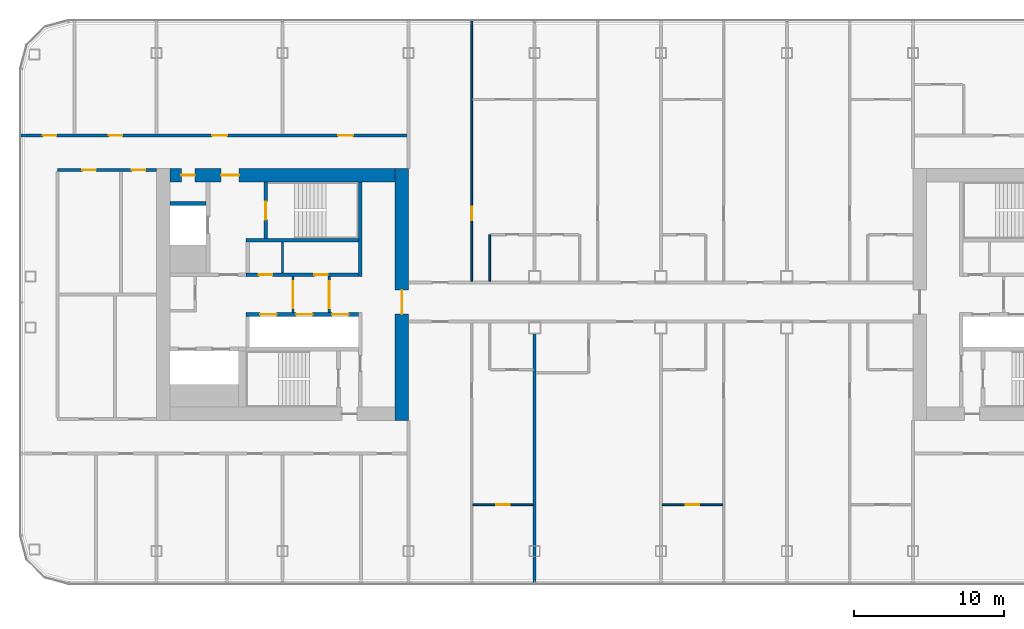
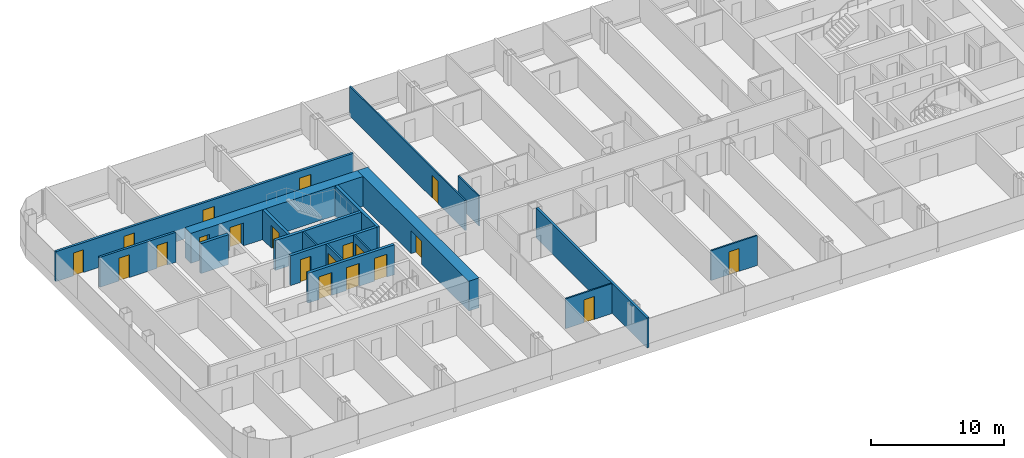
# One storey, part 13 of 26: 20 doors, 18 walls, 20 openings.
"""IFC4 building model written with IfcOpenShell, lengths in metres."""

from ifc_helpers import new_model, si_unit, direction, frame, frame_2d, origin, place, context, subcontext, project, spatial, rectangle, extrude, material, layer, layer_set, type_object, element, fill, save


model = new_model("IFC4")

# Units and contexts
model_context = context("Model", 3, precision=1e-05, world=origin(), true_north=direction((0.0, 1.0)))
body_context = subcontext(model_context, "Body", "Model", "MODEL_VIEW")
ifc_project = project(units=[si_unit("LENGTHUNIT", "METRE"), si_unit("AREAUNIT", "SQUARE_METRE"), si_unit("VOLUMEUNIT", "CUBIC_METRE"), si_unit("PLANEANGLEUNIT", "RADIAN"), si_unit("MASSUNIT", "GRAM", prefix="KILO")], contexts=[model_context])

# Site, building, storey
site_placement = place(None, origin())
site = spatial("IfcSite", under=ifc_project, at=site_placement, CompositionType="ELEMENT")
building_placement = place(site_placement, origin())
building = spatial("IfcBuilding", under=site, at=building_placement, Name="Hakoniwa Tower and Hamabe Station Hall", CompositionType="ELEMENT")
storey_placement = place(building_placement, frame((0.0, 0.0, 143.800048828125)))
storey = spatial("IfcBuildingStorey", under=building, at=storey_placement, Name="L40", CompositionType="ELEMENT", Elevation=143.800048828125)

# Wall
ifc_material_1 = material(Name="Gypsum board partition", Category="gypsum")
ifc_layer_1 = layer(ifc_material_1, 0.125)
ifc_layer_set_1 = layer_set([ifc_layer_1], Name="Bathroom Partition 125")
wall_type_1 = type_object("IfcWallType", Name="Bathroom Partition 125", PredefinedType="PARTITIONING", material=ifc_layer_set_1)
wall_1_placement = place(storey_placement, frame((-11.39990234375, 0.89990234375, 0.0), z_axis=(0.0, 0.0, 1.0), x_axis=(0.0, 1.0, 0.0)))
element("IfcWall", 1, at=wall_1_placement, inside=storey, type_object=wall_type_1, Name="GW-L40-045", PredefinedType="PARTITIONING", context=body_context, shape_type="SweptSolid", body=[
    extrude(rectangle(XDim=3.10009765625, YDim=0.125, at=frame_2d((1.550048828125, 0.0))), origin(), (0.0, 0.0, 1.0), 2.75),
])

# Wall, opening, door
ifc_material_2 = material(Name="Gypsum board partition")
ifc_layer_2 = layer(ifc_material_2, 0.14990234375)
ifc_layer_set_2 = layer_set([ifc_layer_2], Name="CORE PARTITION 150 EI 60")
wall_type_2 = type_object("IfcWallType", Name="CORE PARTITION 150 EI 60", PredefinedType="PARTITIONING", material=ifc_layer_set_2)
wall_2_placement = place(storey_placement, frame((-22.10009765625, -1.199951171875, 0.0), z_axis=(0.0, 0.0, 1.0), x_axis=(0.0, 1.0, 0.0)))
wall_2 = element("IfcWall", 2, at=wall_2_placement, inside=storey, type_object=wall_type_2, Name="Core partition PL0 west", PredefinedType="PARTITIONING", context=body_context, shape_type="SweptSolid", body=[
    extrude(rectangle(XDim=2.39990234375, YDim=0.14990234375, at=frame_2d((1.199951171875, 0.0))), origin(), (0.0, 0.0, 1.0), 2.75),
])
opening_1_placement = place(wall_2_placement, frame((0.300048828125, 0.0, 0.0)))
opening_1 = element("IfcOpeningElement", 3, at=opening_1_placement, cuts=wall_2, Name="Opening CD-W-LP0-18", PredefinedType="OPENING", context=body_context, shape_type="SweptSolid", body=[
    extrude(rectangle(XDim=1.800048828125, YDim=2.10009765625, at=frame_2d((0.89990234375, 1.050048828125))), frame((0.0, 0.0849609375, 0.0), z_axis=(0.0, -1.0, 0.0), x_axis=(1.0, 0.0, 0.0)), (0.0, 0.0, 1.0), 0.169921875),
])
ifc_material_3 = material(Name="Steel fire door", Category="steel")
door_type_1 = type_object("IfcDoorType", Name="CORE DOOR 1800 FD60", OperationType="DOUBLE_DOOR_SINGLE_SWING", PredefinedType="DOOR", material=ifc_material_3)
door_1_placement = place(opening_1_placement, origin())
door_1 = element("IfcDoor", 4, at=door_1_placement, inside=storey, type_object=door_type_1, Name="Lift lobby partition door", OperationType="DOUBLE_DOOR_SINGLE_SWING", OverallHeight=2.10009765625, OverallWidth=1.800048828125, PredefinedType="DOOR", context=body_context, shape_type="SweptSolid", body=[
    extrude(rectangle(XDim=1.800048828125, YDim=2.10009765625, at=frame_2d((0.89990234375, 1.050048828125))), frame((0.0, 0.02490234375, 0.0), z_axis=(0.0, -1.0, 0.0), x_axis=(1.0, 0.0, 0.0)), (0.0, 0.0, 1.0), 0.050048828125),
])
fill(opening_1, door_1)

wall_3_placement = place(storey_placement, frame((-24.5, -1.199951171875, 0.0), z_axis=(0.0, 0.0, 1.0), x_axis=(0.0, 1.0, 0.0)))
wall_3 = element("IfcWall", 5, at=wall_3_placement, inside=storey, type_object=wall_type_2, Name="Core partition PL1 west", PredefinedType="PARTITIONING", context=body_context, shape_type="SweptSolid", body=[
    extrude(rectangle(XDim=2.39990234375, YDim=0.14990234375, at=frame_2d((1.199951171875, 0.0))), origin(), (0.0, 0.0, 1.0), 2.75),
])
opening_2_placement = place(wall_3_placement, frame((0.300048828125, 0.0, 0.0)))
opening_2 = element("IfcOpeningElement", 6, at=opening_2_placement, cuts=wall_3, Name="Opening CD-W-LP1-18", PredefinedType="OPENING", context=body_context, shape_type="SweptSolid", body=[
    extrude(rectangle(XDim=1.800048828125, YDim=2.10009765625, at=frame_2d((0.89990234375, 1.050048828125))), frame((0.0, 0.0849609375, 0.0), z_axis=(0.0, -1.0, 0.0), x_axis=(1.0, 0.0, 0.0)), (0.0, 0.0, 1.0), 0.169921875),
])
door_2_placement = place(opening_2_placement, origin())
door_2 = element("IfcDoor", 7, at=door_2_placement, inside=storey, type_object=door_type_1, Name="Lift lobby partition door", OperationType="DOUBLE_DOOR_SINGLE_SWING", OverallHeight=2.10009765625, OverallWidth=1.800048828125, PredefinedType="DOOR", context=body_context, shape_type="SweptSolid", body=[
    extrude(rectangle(XDim=1.800048828125, YDim=2.10009765625, at=frame_2d((0.89990234375, 1.050048828125))), frame((0.0, 0.02490234375, 0.0), z_axis=(0.0, -1.0, 0.0), x_axis=(1.0, 0.0, 0.0)), (0.0, 0.0, 1.0), 0.050048828125),
])
fill(opening_2, door_2)

# Wall
wall_4_placement = place(storey_placement, frame((-25.199951171875, 1.449951171875, 0.0), z_axis=(0.0, 0.0, 1.0), x_axis=(0.0, 1.0, 0.0)))
element("IfcWall", 8, at=wall_4_placement, inside=storey, type_object=wall_type_2, Name="Core partition PFLR0 west", PredefinedType="PARTITIONING", context=body_context, shape_type="SweptSolid", body=[
    extrude(rectangle(XDim=2.050048828125, YDim=0.14990234375, at=frame_2d((1.02490234375, 0.0))), origin(), (0.0, 0.0, 1.0), 2.75),
])

# Wall, opening, door
ifc_material_4 = material(Name="Concrete C66", Category="concrete")
ifc_layer_3 = layer(ifc_material_4, 0.89990234375)
ifc_layer_set_3 = layer_set([ifc_layer_3], Name="CORE WALL 900 C66")
wall_type_3 = type_object("IfcWallType", Name="CORE WALL 900 C66", PredefinedType="SHEAR", material=ifc_layer_set_3)
wall_5_placement = place(storey_placement, frame((-17.25, -8.39990234375, 0.0), z_axis=(0.0, 0.0, 1.0), x_axis=(0.0, 1.0, 0.0)))
wall_5 = element("IfcWall", 9, at=wall_5_placement, inside=storey, type_object=wall_type_3, Name="Core wall INNER west", PredefinedType="SHEAR", context=body_context, shape_type="SweptSolid", body=[
    extrude(rectangle(XDim=16.7998046875, YDim=0.89990234375, at=frame_2d((8.39990234375, 0.0))), origin(), (0.0, 0.0, 1.0), 2.75),
])
opening_3_placement = place(wall_5_placement, frame((7.10009765625, 0.0, 0.0)))
opening_3 = element("IfcOpeningElement", 10, at=opening_3_placement, cuts=wall_5, Name="Opening CD-W-IN1-16", PredefinedType="OPENING", context=body_context, shape_type="SweptSolid", body=[
    extrude(rectangle(XDim=1.60009765625, YDim=2.10009765625, at=frame_2d((0.800048828125, 1.050048828125))), frame((0.0, 0.4599609375, 0.0), z_axis=(0.0, -1.0, 0.0), x_axis=(1.0, 0.0, 0.0)), (0.0, 0.0, 1.0), 0.919921875),
])
ifc_material_5 = material(Name="Steel fire door", Category="steel")
door_type_2 = type_object("IfcDoorType", Name="CORE DOOR 1600 FD60", OperationType="DOUBLE_DOOR_SINGLE_SWING", PredefinedType="DOOR", material=ifc_material_5)
door_3_placement = place(opening_3_placement, origin())
door_3 = element("IfcDoor", 11, at=door_3_placement, inside=storey, type_object=door_type_2, Name="Lift lobby door", OperationType="DOUBLE_DOOR_SINGLE_SWING", OverallHeight=2.10009765625, OverallWidth=1.60009765625, PredefinedType="DOOR", context=body_context, shape_type="SweptSolid", body=[
    extrude(rectangle(XDim=1.60009765625, YDim=2.10009765625, at=frame_2d((0.800048828125, 1.050048828125))), frame((0.0, 0.02490234375, 0.0), z_axis=(0.0, -1.0, 0.0), x_axis=(1.0, 0.0, 0.0)), (0.0, 0.0, 1.0), 0.050048828125),
])
fill(opening_3, door_3)

# Wall, openings, doors
wall_6_placement = place(storey_placement, frame((-32.699951171875, 7.949951171875, 0.0), z_axis=(0.0, 0.0, 1.0), x_axis=(1.0, 0.0, 0.0)))
wall_6 = element("IfcWall", 12, at=wall_6_placement, inside=storey, type_object=wall_type_3, Name="Core wall NORTH west", PredefinedType="SHEAR", context=body_context, shape_type="SweptSolid", body=[
    extrude(rectangle(XDim=15.0, YDim=0.89990234375, at=frame_2d((7.5, 0.0))), origin(), (0.0, 0.0, 1.0), 2.75),
])
opening_4_placement = place(wall_6_placement, frame((3.39990234375, 0.0, 0.0)))
opening_4 = element("IfcOpeningElement", 13, at=opening_4_placement, cuts=wall_6, Name="Opening CD-W-FN1-12", PredefinedType="OPENING", context=body_context, shape_type="SweptSolid", body=[
    extrude(rectangle(XDim=1.199951171875, YDim=2.10009765625, at=frame_2d((0.60009765625, 1.050048828125))), frame((0.0, 0.4599609375, 0.0), z_axis=(0.0, -1.0, 0.0), x_axis=(1.0, 0.0, 0.0)), (0.0, 0.0, 1.0), 0.919921875),
])
opening_5_placement = place(wall_6_placement, frame((0.75, 0.0, 0.0)))
opening_5 = element("IfcOpeningElement", 14, at=opening_5_placement, cuts=wall_6, Name="Opening CD-W-FN2-9", PredefinedType="OPENING", context=body_context, shape_type="SweptSolid", body=[
    extrude(rectangle(XDim=0.89990234375, YDim=2.10009765625, at=frame_2d((0.449951171875, 1.050048828125))), frame((0.0, 0.4599609375, 0.0), z_axis=(0.0, -1.0, 0.0), x_axis=(1.0, 0.0, 0.0)), (0.0, 0.0, 1.0), 0.919921875),
])
ifc_material_6 = material(Name="Steel fire door", Category="steel")
door_type_3 = type_object("IfcDoorType", Name="CORE DOOR 1200 FD60", OperationType="DOUBLE_DOOR_SINGLE_SWING", PredefinedType="DOOR", material=ifc_material_6)
door_4_placement = place(opening_4_placement, origin())
door_4 = element("IfcDoor", 15, at=door_4_placement, inside=storey, type_object=door_type_3, Name="Stair vestibule door to the fire-fighting lobby", OperationType="DOUBLE_DOOR_SINGLE_SWING", OverallHeight=2.10009765625, OverallWidth=1.199951171875, PredefinedType="DOOR", context=body_context, shape_type="SweptSolid", body=[
    extrude(rectangle(XDim=1.199951171875, YDim=2.10009765625, at=frame_2d((0.60009765625, 1.050048828125))), frame((0.0, 0.02490234375, 0.0), z_axis=(0.0, -1.0, 0.0), x_axis=(1.0, 0.0, 0.0)), (0.0, 0.0, 1.0), 0.050048828125),
])
fill(opening_4, door_4)
ifc_material_7 = material(Name="Steel fire door", Category="steel")
door_type_4 = type_object("IfcDoorType", Name="CORE DOOR 900 FD30", OperationType="NOTDEFINED", PredefinedType="DOOR", material=ifc_material_7)
door_5_placement = place(opening_5_placement, origin())
door_5 = element("IfcDoor", 16, at=door_5_placement, inside=storey, type_object=door_type_4, Name="Riser access door", OperationType="SINGLE_SWING_LEFT", OverallHeight=2.10009765625, OverallWidth=0.89990234375, PredefinedType="DOOR", context=body_context, shape_type="SweptSolid", body=[
    extrude(rectangle(XDim=0.89990234375, YDim=2.10009765625, at=frame_2d((0.449951171875, 1.050048828125))), frame((0.0, 0.02490234375, 0.0), z_axis=(0.0, -1.0, 0.0), x_axis=(1.0, 0.0, 0.0)), (0.0, 0.0, 1.0), 0.050048828125),
])
fill(opening_5, door_5)

# Wall
ifc_material_8 = material(Name="Concrete C66", Category="concrete")
ifc_layer_4 = layer(ifc_material_8, 0.25)
ifc_layer_set_4 = layer_set([ifc_layer_4], Name="CORE WEB WALL 250 C66")
wall_type_4 = type_object("IfcWallType", Name="CORE WEB WALL 250 C66", PredefinedType="SHEAR", material=ifc_layer_set_4)
wall_7_placement = place(storey_placement, frame((-20.02490234375, 1.199951171875, 0.0), z_axis=(0.0, 0.0, 1.0), x_axis=(0.0, 1.0, 0.0)))
element("IfcWall", 17, at=wall_7_placement, inside=storey, type_object=wall_type_4, Name="Core wall W1N west", PredefinedType="SHEAR", context=body_context, shape_type="SweptSolid", body=[
    extrude(rectangle(XDim=6.300048828125, YDim=0.25, at=frame_2d((3.14990234375, 0.0))), origin(), (0.0, 0.0, 1.0), 2.75),
])

# Wall, openings, doors
wall_8_placement = place(storey_placement, frame((-27.64990234375, 1.324951171875, 0.0), z_axis=(0.0, 0.0, 1.0), x_axis=(1.0, 0.0, 0.0)))
wall_8 = element("IfcWall", 18, at=wall_8_placement, inside=storey, type_object=wall_type_4, Name="Core wall NF west", PredefinedType="SHEAR", context=body_context, shape_type="SweptSolid", body=[
    extrude(rectangle(XDim=7.5, YDim=0.25, at=frame_2d((3.75, 0.0))), origin(), (0.0, 0.0, 1.0), 2.75),
])
opening_6_placement = place(wall_8_placement, frame((4.5625, 0.0, 0.0)))
opening_6 = element("IfcOpeningElement", 19, at=opening_6_placement, cuts=wall_8, Name="Opening CD-W-FRLR0-9", PredefinedType="OPENING", context=body_context, shape_type="SweptSolid", body=[
    extrude(rectangle(XDim=0.89990234375, YDim=2.10009765625, at=frame_2d((0.449951171875, 1.050048828125))), frame((0.0, 0.135009765625, 0.0), z_axis=(0.0, -1.0, 0.0), x_axis=(1.0, 0.0, 0.0)), (0.0, 0.0, 1.0), 0.27001953125),
])
opening_7_placement = place(wall_8_placement, frame((0.862548828125, 0.0, 0.0)))
opening_7 = element("IfcOpeningElement", 20, at=opening_7_placement, cuts=wall_8, Name="Opening CD-W-FRLR1-9", PredefinedType="OPENING", context=body_context, shape_type="SweptSolid", body=[
    extrude(rectangle(XDim=0.89990234375, YDim=2.10009765625, at=frame_2d((0.449951171875, 1.050048828125))), frame((0.0, 0.135009765625, 0.0), z_axis=(0.0, -1.0, 0.0), x_axis=(1.0, 0.0, 0.0)), (0.0, 0.0, 1.0), 0.27001953125),
])
door_6_placement = place(opening_6_placement, origin())
door_6 = element("IfcDoor", 21, at=door_6_placement, inside=storey, type_object=door_type_4, Name="Store room door", OperationType="SINGLE_SWING_LEFT", OverallHeight=2.10009765625, OverallWidth=0.89990234375, PredefinedType="DOOR", context=body_context, shape_type="SweptSolid", body=[
    extrude(rectangle(XDim=0.89990234375, YDim=2.10009765625, at=frame_2d((0.449951171875, 1.050048828125))), frame((0.0, 0.02490234375, 0.0), z_axis=(0.0, -1.0, 0.0), x_axis=(1.0, 0.0, 0.0)), (0.0, 0.0, 1.0), 0.050048828125),
])
fill(opening_6, door_6)
door_7_placement = place(opening_7_placement, origin())
door_7 = element("IfcDoor", 22, at=door_7_placement, inside=storey, type_object=door_type_4, Name="Store room door", OperationType="SINGLE_SWING_RIGHT", OverallHeight=2.10009765625, OverallWidth=0.89990234375, PredefinedType="DOOR", context=body_context, shape_type="SweptSolid", body=[
    extrude(rectangle(XDim=0.89990234375, YDim=2.10009765625, at=frame_2d((0.449951171875, 1.050048828125))), frame((0.0, 0.02490234375, 0.0), z_axis=(0.0, -1.0, 0.0), x_axis=(1.0, 0.0, 0.0)), (0.0, 0.0, 1.0), 0.050048828125),
])
fill(opening_7, door_7)

# Wall
wall_9_placement = place(storey_placement, frame((-27.64990234375, 3.625, 0.0), z_axis=(0.0, 0.0, 1.0), x_axis=(1.0, 0.0, 0.0)))
element("IfcWall", 23, at=wall_9_placement, inside=storey, type_object=wall_type_4, Name="Core wall NR west", PredefinedType="SHEAR", context=body_context, shape_type="SweptSolid", body=[
    extrude(rectangle(XDim=7.5, YDim=0.25, at=frame_2d((3.75, 0.0))), origin(), (0.0, 0.0, 1.0), 2.75),
])

# Wall, opening, door
wall_10_placement = place(storey_placement, frame((-26.324951171875, 3.75, 0.0), z_axis=(0.0, 0.0, 1.0), x_axis=(0.0, 1.0, 0.0)))
wall_10 = element("IfcWall", 24, at=wall_10_placement, inside=storey, type_object=wall_type_4, Name="Core wall NSE west", PredefinedType="SHEAR", context=body_context, shape_type="SweptSolid", body=[
    extrude(rectangle(XDim=3.75, YDim=0.25, at=frame_2d((1.875, 0.0))), origin(), (0.0, 0.0, 1.0), 2.75),
])
opening_8_placement = place(wall_10_placement, frame((1.25, 0.0, 0.0)))
opening_8 = element("IfcOpeningElement", 25, at=opening_8_placement, cuts=wall_10, Name="Opening CD-W-SN-12", PredefinedType="OPENING", context=body_context, shape_type="SweptSolid", body=[
    extrude(rectangle(XDim=1.199951171875, YDim=2.10009765625, at=frame_2d((0.60009765625, 1.050048828125))), frame((0.0, 0.135009765625, 0.0), z_axis=(0.0, -1.0, 0.0), x_axis=(1.0, 0.0, 0.0)), (0.0, 0.0, 1.0), 0.27001953125),
])
door_8_placement = place(opening_8_placement, origin())
door_8 = element("IfcDoor", 26, at=door_8_placement, inside=storey, type_object=door_type_3, Name="Escape stair door", OperationType="DOUBLE_DOOR_SINGLE_SWING", OverallHeight=2.10009765625, OverallWidth=1.199951171875, PredefinedType="DOOR", context=body_context, shape_type="SweptSolid", body=[
    extrude(rectangle(XDim=1.199951171875, YDim=2.10009765625, at=frame_2d((0.60009765625, 1.050048828125))), frame((0.0, 0.02490234375, 0.0), z_axis=(0.0, -1.0, 0.0), x_axis=(1.0, 0.0, 0.0)), (0.0, 0.0, 1.0), 0.050048828125),
])
fill(opening_8, door_8)

# Wall
wall_11_placement = place(storey_placement, frame((-32.699951171875, 6.074951171875, 0.0), z_axis=(0.0, 0.0, 1.0), x_axis=(1.0, 0.0, 0.0)))
element("IfcWall", 27, at=wall_11_placement, inside=storey, type_object=wall_type_4, Name="Core wall C2 west", PredefinedType="SHEAR", context=body_context, shape_type="SweptSolid", body=[
    extrude(rectangle(XDim=2.39990234375, YDim=0.25, at=frame_2d((1.199951171875, 0.0))), origin(), (0.0, 0.0, 1.0), 2.75),
])

# Wall, openings, doors
wall_12_placement = place(storey_placement, frame((-27.64990234375, -1.324951171875, 0.0), z_axis=(0.0, 0.0, 1.0), x_axis=(1.0, 0.0, 0.0)))
wall_12 = element("IfcWall", 28, at=wall_12_placement, inside=storey, type_object=wall_type_4, Name="Core wall SF west", PredefinedType="SHEAR", context=body_context, shape_type="SweptSolid", body=[
    extrude(rectangle(XDim=7.5, YDim=0.25, at=frame_2d((3.75, 0.0))), origin(), (0.0, 0.0, 1.0), 2.75),
])
opening_9_placement = place(wall_12_placement, frame((5.75, 0.0, 0.0)))
opening_9 = element("IfcOpeningElement", 29, at=opening_9_placement, cuts=wall_12, Name="Opening LD-HR1", PredefinedType="OPENING", context=body_context, shape_type="SweptSolid", body=[
    extrude(rectangle(XDim=1.10009765625, YDim=2.10009765625, at=frame_2d((0.550048828125, 1.050048828125))), frame((0.0, 0.135009765625, 0.0), z_axis=(0.0, -1.0, 0.0), x_axis=(1.0, 0.0, 0.0)), (0.0, 0.0, 1.0), 0.27001953125),
])
opening_10_placement = place(wall_12_placement, frame((3.35009765625, 0.0, 0.0)))
opening_10 = element("IfcOpeningElement", 30, at=opening_10_placement, cuts=wall_12, Name="Opening LD-HR2", PredefinedType="OPENING", context=body_context, shape_type="SweptSolid", body=[
    extrude(rectangle(XDim=1.10009765625, YDim=2.10009765625, at=frame_2d((0.550048828125, 1.050048828125))), frame((0.0, 0.135009765625, 0.0), z_axis=(0.0, -1.0, 0.0), x_axis=(1.0, 0.0, 0.0)), (0.0, 0.0, 1.0), 0.27001953125),
])
opening_11_placement = place(wall_12_placement, frame((0.949951171875, 0.0, 0.0)))
opening_11 = element("IfcOpeningElement", 31, at=opening_11_placement, cuts=wall_12, Name="Opening LD-HR3", PredefinedType="OPENING", context=body_context, shape_type="SweptSolid", body=[
    extrude(rectangle(XDim=1.10009765625, YDim=2.10009765625, at=frame_2d((0.550048828125, 1.050048828125))), frame((0.0, 0.135009765625, 0.0), z_axis=(0.0, -1.0, 0.0), x_axis=(1.0, 0.0, 0.0)), (0.0, 0.0, 1.0), 0.27001953125),
])
ifc_material_9 = material(Name="Stainless steel SUS304", Category="steel")
door_type_5 = type_object("IfcDoorType", Name="LIFT LANDING DOOR 1100 FD60", OperationType="DOUBLE_DOOR_SLIDING", PredefinedType="DOOR", material=ifc_material_9)
door_9_placement = place(opening_9_placement, origin())
door_9 = element("IfcDoor", 32, at=door_9_placement, inside=storey, type_object=door_type_5, Name="Lift landing door HR1 L40", OperationType="DOUBLE_DOOR_SLIDING", OverallHeight=2.10009765625, OverallWidth=1.10009765625, PredefinedType="DOOR", context=body_context, shape_type="SweptSolid", body=[
    extrude(rectangle(XDim=1.10009765625, YDim=2.10009765625, at=frame_2d((0.550048828125, 1.050048828125))), frame((0.0, 0.02490234375, 0.0), z_axis=(0.0, -1.0, 0.0), x_axis=(1.0, 0.0, 0.0)), (0.0, 0.0, 1.0), 0.050048828125),
])
fill(opening_9, door_9)
door_10_placement = place(opening_10_placement, origin())
door_10 = element("IfcDoor", 33, at=door_10_placement, inside=storey, type_object=door_type_5, Name="Lift landing door HR2 L40", OperationType="DOUBLE_DOOR_SLIDING", OverallHeight=2.10009765625, OverallWidth=1.10009765625, PredefinedType="DOOR", context=body_context, shape_type="SweptSolid", body=[
    extrude(rectangle(XDim=1.10009765625, YDim=2.10009765625, at=frame_2d((0.550048828125, 1.050048828125))), frame((0.0, 0.02490234375, 0.0), z_axis=(0.0, -1.0, 0.0), x_axis=(1.0, 0.0, 0.0)), (0.0, 0.0, 1.0), 0.050048828125),
])
fill(opening_10, door_10)
door_11_placement = place(opening_11_placement, origin())
door_11 = element("IfcDoor", 34, at=door_11_placement, inside=storey, type_object=door_type_5, Name="Lift landing door HR3 L40", OperationType="DOUBLE_DOOR_SLIDING", OverallHeight=2.10009765625, OverallWidth=1.10009765625, PredefinedType="DOOR", context=body_context, shape_type="SweptSolid", body=[
    extrude(rectangle(XDim=1.10009765625, YDim=2.10009765625, at=frame_2d((0.550048828125, 1.050048828125))), frame((0.0, 0.02490234375, 0.0), z_axis=(0.0, -1.0, 0.0), x_axis=(1.0, 0.0, 0.0)), (0.0, 0.0, 1.0), 0.050048828125),
])
fill(opening_11, door_11)

ifc_material_10 = material(Name="Fire-rated gypsum board partition", Category="gypsum")
ifc_layer_5 = layer(ifc_material_10, 0.199951171875)
ifc_layer_set_5 = layer_set([ifc_layer_5], Name="Corridor Wall 200")
wall_type_5 = type_object("IfcWallType", Name="Corridor Wall 200", PredefinedType="PARTITIONING", material=ifc_layer_set_5)
wall_13_placement = place(storey_placement, frame((-40.199951171875, 8.300048828125, 0.0), z_axis=(0.0, 0.0, 1.0), x_axis=(1.0, 0.0, 0.0)))
wall_13 = element("IfcWall", 35, at=wall_13_placement, inside=storey, type_object=wall_type_5, Name="GW-L40-019", PredefinedType="PARTITIONING", context=body_context, shape_type="SweptSolid", body=[
    extrude(rectangle(XDim=6.599853515625, YDim=0.199951171875, at=frame_2d((3.2998046875, 0.0))), origin(), (0.0, 0.0, 1.0), 2.75),
])
opening_12_placement = place(wall_13_placement, frame((1.659912109375, 0.0, 0.0)))
opening_12 = element("IfcOpeningElement", 36, at=opening_12_placement, cuts=wall_13, Name="Opening GD-G3E0-32", PredefinedType="OPENING", context=body_context, shape_type="SweptSolid", body=[
    extrude(rectangle(XDim=0.89990234375, YDim=2.10009765625, at=frame_2d((0.449951171875, 1.050048828125))), frame((0.0, 0.10986328125, 0.0), z_axis=(0.0, -1.0, 0.0), x_axis=(1.0, 0.0, 0.0)), (0.0, 0.0, 1.0), 0.219970703125),
])
opening_13_placement = place(wall_13_placement, frame((4.9599609375, 0.0, 0.0)))
opening_13 = element("IfcOpeningElement", 37, at=opening_13_placement, cuts=wall_13, Name="Opening GD-G3E0-33", PredefinedType="OPENING", context=body_context, shape_type="SweptSolid", body=[
    extrude(rectangle(XDim=0.89990234375, YDim=2.10009765625, at=frame_2d((0.449951171875, 1.050048828125))), frame((0.0, 0.10986328125, 0.0), z_axis=(0.0, -1.0, 0.0), x_axis=(1.0, 0.0, 0.0)), (0.0, 0.0, 1.0), 0.219970703125),
])
ifc_material_11 = material(Name="Timber door leaf", Category="wood")
door_type_6 = type_object("IfcDoorType", Name="Service Door 900", OperationType="SINGLE_SWING_LEFT", PredefinedType="DOOR", material=ifc_material_11)
door_12_placement = place(opening_12_placement, origin())
door_12 = element("IfcDoor", 38, at=door_12_placement, inside=storey, type_object=door_type_6, Name="Door GD-G3E0-32", OperationType="SINGLE_SWING_LEFT", OverallHeight=2.10009765625, OverallWidth=0.89990234375, PredefinedType="DOOR", context=body_context, shape_type="SweptSolid", body=[
    extrude(rectangle(XDim=0.89990234375, YDim=2.10009765625, at=frame_2d((0.449951171875, 1.050048828125))), frame((0.0, 0.02490234375, 0.0), z_axis=(0.0, -1.0, 0.0), x_axis=(1.0, 0.0, 0.0)), (0.0, 0.0, 1.0), 0.050048828125),
])
fill(opening_12, door_12)
door_13_placement = place(opening_13_placement, origin())
door_13 = element("IfcDoor", 39, at=door_13_placement, inside=storey, type_object=door_type_6, Name="Door GD-G3E0-33", OperationType="SINGLE_SWING_LEFT", OverallHeight=2.10009765625, OverallWidth=0.89990234375, PredefinedType="DOOR", context=body_context, shape_type="SweptSolid", body=[
    extrude(rectangle(XDim=0.89990234375, YDim=2.10009765625, at=frame_2d((0.449951171875, 1.050048828125))), frame((0.0, 0.02490234375, 0.0), z_axis=(0.0, -1.0, 0.0), x_axis=(1.0, 0.0, 0.0)), (0.0, 0.0, 1.0), 0.050048828125),
])
fill(opening_13, door_13)

wall_14_placement = place(storey_placement, frame((-42.699951171875, 10.60009765625, 0.0), z_axis=(0.0, 0.0, 1.0), x_axis=(1.0, 0.0, 0.0)))
wall_14 = element("IfcWall", 40, at=wall_14_placement, inside=storey, type_object=wall_type_5, Name="GW-L40-021", PredefinedType="PARTITIONING", context=body_context, shape_type="SweptSolid", body=[
    extrude(rectangle(XDim=25.89990234375, YDim=0.199951171875, at=frame_2d((12.949951171875, 0.0))), origin(), (0.0, 0.0, 1.0), 2.75),
])
opening_14_placement = place(wall_14_placement, frame((1.52001953125, 0.0, 0.0)))
opening_14 = element("IfcOpeningElement", 41, at=opening_14_placement, cuts=wall_14, Name="Opening GD-G3E0-36", PredefinedType="OPENING", context=body_context, shape_type="SweptSolid", body=[
    extrude(rectangle(XDim=0.89990234375, YDim=2.10009765625, at=frame_2d((0.449951171875, 1.050048828125))), frame((0.0, 0.10986328125, 0.0), z_axis=(0.0, -1.0, 0.0), x_axis=(1.0, 0.0, 0.0)), (0.0, 0.0, 1.0), 0.219970703125),
])
opening_15_placement = place(wall_14_placement, frame((5.919921875, 0.0, 0.0)))
opening_15 = element("IfcOpeningElement", 42, at=opening_15_placement, cuts=wall_14, Name="Opening GD-G3E0-37", PredefinedType="OPENING", context=body_context, shape_type="SweptSolid", body=[
    extrude(rectangle(XDim=0.89990234375, YDim=2.10009765625, at=frame_2d((0.449951171875, 1.050048828125))), frame((0.0, 0.10986328125, 0.0), z_axis=(0.0, -1.0, 0.0), x_axis=(1.0, 0.0, 0.0)), (0.0, 0.0, 1.0), 0.219970703125),
])
opening_16_placement = place(wall_14_placement, frame((12.800048828125, 0.0, 0.0)))
opening_16 = element("IfcOpeningElement", 43, at=opening_16_placement, cuts=wall_14, Name="Opening GD-G3E0-38", PredefinedType="OPENING", context=body_context, shape_type="SweptSolid", body=[
    extrude(rectangle(XDim=1.0, YDim=2.10009765625, at=frame_2d((0.5, 1.050048828125))), frame((0.0, 0.10986328125, 0.0), z_axis=(0.0, -1.0, 0.0), x_axis=(1.0, 0.0, 0.0)), (0.0, 0.0, 1.0), 0.219970703125),
])
opening_17_placement = place(wall_14_placement, frame((21.199951171875, 0.0, 0.0)))
opening_17 = element("IfcOpeningElement", 44, at=opening_17_placement, cuts=wall_14, Name="Opening GD-G3E0-39", PredefinedType="OPENING", context=body_context, shape_type="SweptSolid", body=[
    extrude(rectangle(XDim=1.0, YDim=2.10009765625, at=frame_2d((0.5, 1.050048828125))), frame((0.0, 0.10986328125, 0.0), z_axis=(0.0, -1.0, 0.0), x_axis=(1.0, 0.0, 0.0)), (0.0, 0.0, 1.0), 0.219970703125),
])
ifc_material_12 = material(Name="Timber door leaf", Category="wood")
door_type_7 = type_object("IfcDoorType", Name="Guest Entrance Door 1000", OperationType="SINGLE_SWING_LEFT", PredefinedType="DOOR", material=ifc_material_12)
door_14_placement = place(opening_16_placement, origin())
door_14 = element("IfcDoor", 45, at=door_14_placement, inside=storey, type_object=door_type_7, Name="Door GD-G3E0-38", OperationType="SINGLE_SWING_RIGHT", OverallHeight=2.10009765625, OverallWidth=1.0, PredefinedType="DOOR", context=body_context, shape_type="SweptSolid", body=[
    extrude(rectangle(XDim=1.0, YDim=2.10009765625, at=frame_2d((0.5, 1.050048828125))), frame((0.0, 0.02490234375, 0.0), z_axis=(0.0, -1.0, 0.0), x_axis=(1.0, 0.0, 0.0)), (0.0, 0.0, 1.0), 0.050048828125),
])
fill(opening_16, door_14)
door_15_placement = place(opening_17_placement, origin())
door_15 = element("IfcDoor", 46, at=door_15_placement, inside=storey, type_object=door_type_7, Name="Door GD-G3E0-39", OperationType="SINGLE_SWING_LEFT", OverallHeight=2.10009765625, OverallWidth=1.0, PredefinedType="DOOR", context=body_context, shape_type="SweptSolid", body=[
    extrude(rectangle(XDim=1.0, YDim=2.10009765625, at=frame_2d((0.5, 1.050048828125))), frame((0.0, 0.02490234375, 0.0), z_axis=(0.0, -1.0, 0.0), x_axis=(1.0, 0.0, 0.0)), (0.0, 0.0, 1.0), 0.050048828125),
])
fill(opening_17, door_15)
door_16_placement = place(opening_14_placement, origin())
door_16 = element("IfcDoor", 47, at=door_16_placement, inside=storey, type_object=door_type_6, Name="Door GD-G3E0-36", OperationType="SINGLE_SWING_LEFT", OverallHeight=2.10009765625, OverallWidth=0.89990234375, PredefinedType="DOOR", context=body_context, shape_type="SweptSolid", body=[
    extrude(rectangle(XDim=0.89990234375, YDim=2.10009765625, at=frame_2d((0.449951171875, 1.050048828125))), frame((0.0, 0.02490234375, 0.0), z_axis=(0.0, -1.0, 0.0), x_axis=(1.0, 0.0, 0.0)), (0.0, 0.0, 1.0), 0.050048828125),
])
fill(opening_14, door_16)
door_17_placement = place(opening_15_placement, origin())
door_17 = element("IfcDoor", 48, at=door_17_placement, inside=storey, type_object=door_type_6, Name="Door GD-G3E0-37", OperationType="SINGLE_SWING_LEFT", OverallHeight=2.10009765625, OverallWidth=0.89990234375, PredefinedType="DOOR", context=body_context, shape_type="SweptSolid", body=[
    extrude(rectangle(XDim=0.89990234375, YDim=2.10009765625, at=frame_2d((0.449951171875, 1.050048828125))), frame((0.0, 0.02490234375, 0.0), z_axis=(0.0, -1.0, 0.0), x_axis=(1.0, 0.0, 0.0)), (0.0, 0.0, 1.0), 0.050048828125),
])
fill(opening_15, door_17)

# Wall
ifc_material_13 = material(Name="Fire-rated gypsum board partition", Category="gypsum")
ifc_layer_6 = layer(ifc_material_13, 0.199951171875)
ifc_layer_set_6 = layer_set([ifc_layer_6], Name="Party Wall 200")
wall_type_6 = type_object("IfcWallType", Name="Party Wall 200", PredefinedType="PARTITIONING", material=ifc_layer_set_6)
wall_15_placement = place(storey_placement, frame((-8.39990234375, -19.300048828125, 0.0), z_axis=(0.0, 0.0, 1.0), x_axis=(0.0, 1.0, 0.0)))
element("IfcWall", 49, at=wall_15_placement, inside=storey, type_object=wall_type_6, Name="GW-L40-046", PredefinedType="PARTITIONING", context=body_context, shape_type="SweptSolid", body=[
    extrude(rectangle(XDim=16.7099609375, YDim=0.199951171875, at=frame_2d((8.35498046875, 0.0))), origin(), (0.0, 0.0, 1.0), 2.75),
])

# Wall, opening, door
ifc_material_14 = material(Name="Gypsum board partition", Category="gypsum")
ifc_layer_7 = layer(ifc_material_14, 0.125)
ifc_layer_set_7 = layer_set([ifc_layer_7], Name="Room Partition 125")
wall_type_7 = type_object("IfcWallType", Name="Room Partition 125", PredefinedType="PARTITIONING", material=ifc_layer_set_7)
wall_16_placement = place(storey_placement, frame((-12.53759765625, -14.0, 0.0), z_axis=(0.0, 0.0, 1.0), x_axis=(1.0, 0.0, 0.0)))
wall_16 = element("IfcWall", 50, at=wall_16_placement, inside=storey, type_object=wall_type_7, Name="GW-L40-001", PredefinedType="PARTITIONING", context=body_context, shape_type="SweptSolid", body=[
    extrude(rectangle(XDim=4.03759765625, YDim=0.125, at=frame_2d((2.018798828125, 0.0))), origin(), (0.0, 0.0, 1.0), 2.75),
])
opening_18_placement = place(wall_16_placement, frame((1.58740234375, 0.0, 0.0)))
opening_18 = element("IfcOpeningElement", 51, at=opening_18_placement, cuts=wall_16, Name="Opening GD-G3E0-01", PredefinedType="OPENING", context=body_context, shape_type="SweptSolid", body=[
    extrude(rectangle(XDim=0.89990234375, YDim=2.10009765625, at=frame_2d((0.449951171875, 1.050048828125))), frame((0.0, 0.072509765625, 0.0), z_axis=(0.0, -1.0, 0.0), x_axis=(1.0, 0.0, 0.0)), (0.0, 0.0, 1.0), 0.14501953125),
])
ifc_material_15 = material(Name="Timber door leaf", Category="wood")
door_type_8 = type_object("IfcDoorType", Name="Suite Interior Door 900", OperationType="SINGLE_SWING_LEFT", PredefinedType="DOOR", material=ifc_material_15)
door_18_placement = place(opening_18_placement, origin())
door_18 = element("IfcDoor", 52, at=door_18_placement, inside=storey, type_object=door_type_8, Name="Door GD-G3E0-01", OperationType="SINGLE_SWING_LEFT", OverallHeight=2.10009765625, OverallWidth=0.89990234375, PredefinedType="DOOR", context=body_context, shape_type="SweptSolid", body=[
    extrude(rectangle(XDim=0.89990234375, YDim=2.10009765625, at=frame_2d((0.449951171875, 1.050048828125))), frame((0.0, 0.02490234375, 0.0), z_axis=(0.0, -1.0, 0.0), x_axis=(1.0, 0.0, 0.0)), (0.0, 0.0, 1.0), 0.050048828125),
])
fill(opening_18, door_18)

wall_17_placement = place(storey_placement, frame((0.10009765625, -14.0, 0.0), z_axis=(0.0, 0.0, 1.0), x_axis=(1.0, 0.0, 0.0)))
wall_17 = element("IfcWall", 53, at=wall_17_placement, inside=storey, type_object=wall_type_7, Name="GW-L40-002", PredefinedType="PARTITIONING", context=body_context, shape_type="SweptSolid", body=[
    extrude(rectangle(XDim=4.037353515625, YDim=0.125, at=frame_2d((2.0185546875, 0.0))), origin(), (0.0, 0.0, 1.0), 2.75),
])
opening_19_placement = place(wall_17_placement, frame((1.550048828125, 0.0, 0.0)))
opening_19 = element("IfcOpeningElement", 54, at=opening_19_placement, cuts=wall_17, Name="Opening GD-G3E0-02", PredefinedType="OPENING", context=body_context, shape_type="SweptSolid", body=[
    extrude(rectangle(XDim=0.89990234375, YDim=2.10009765625, at=frame_2d((0.449951171875, 1.050048828125))), frame((0.0, 0.072509765625, 0.0), z_axis=(0.0, -1.0, 0.0), x_axis=(1.0, 0.0, 0.0)), (0.0, 0.0, 1.0), 0.14501953125),
])
door_19_placement = place(opening_19_placement, origin())
door_19 = element("IfcDoor", 55, at=door_19_placement, inside=storey, type_object=door_type_8, Name="Door GD-G3E0-02", OperationType="SINGLE_SWING_RIGHT", OverallHeight=2.10009765625, OverallWidth=0.89990234375, PredefinedType="DOOR", context=body_context, shape_type="SweptSolid", body=[
    extrude(rectangle(XDim=0.89990234375, YDim=2.10009765625, at=frame_2d((0.449951171875, 1.050048828125))), frame((0.0, 0.02490234375, 0.0), z_axis=(0.0, -1.0, 0.0), x_axis=(1.0, 0.0, 0.0)), (0.0, 0.0, 1.0), 0.050048828125),
])
fill(opening_19, door_19)

wall_18_placement = place(storey_placement, frame((-12.60009765625, 0.89990234375, 0.0), z_axis=(0.0, 0.0, 1.0), x_axis=(0.0, 1.0, 0.0)))
wall_18 = element("IfcWall", 56, at=wall_18_placement, inside=storey, type_object=wall_type_7, Name="GW-L40-043", PredefinedType="PARTITIONING", context=body_context, shape_type="SweptSolid", body=[
    extrude(rectangle(XDim=17.400146484375, YDim=0.125, at=frame_2d((8.7001953125, 0.0))), origin(), (0.0, 0.0, 1.0), 2.75),
])
opening_20_placement = place(wall_18_placement, frame((4.050048828125, 0.0, 0.0)))
opening_20 = element("IfcOpeningElement", 57, at=opening_20_placement, cuts=wall_18, Name="Opening GD-G3E0-51", PredefinedType="OPENING", context=body_context, shape_type="SweptSolid", body=[
    extrude(rectangle(XDim=0.89990234375, YDim=2.10009765625, at=frame_2d((0.449951171875, 1.050048828125))), frame((0.0, 0.072509765625, 0.0), z_axis=(0.0, -1.0, 0.0), x_axis=(1.0, 0.0, 0.0)), (0.0, 0.0, 1.0), 0.14501953125),
])
door_20_placement = place(opening_20_placement, origin())
door_20 = element("IfcDoor", 58, at=door_20_placement, inside=storey, type_object=door_type_8, Name="Door GD-G3E0-51", OperationType="SINGLE_SWING_RIGHT", OverallHeight=2.10009765625, OverallWidth=0.89990234375, PredefinedType="DOOR", context=body_context, shape_type="SweptSolid", body=[
    extrude(rectangle(XDim=0.89990234375, YDim=2.10009765625, at=frame_2d((0.449951171875, 1.050048828125))), frame((0.0, 0.02490234375, 0.0), z_axis=(0.0, -1.0, 0.0), x_axis=(1.0, 0.0, 0.0)), (0.0, 0.0, 1.0), 0.050048828125),
])
fill(opening_20, door_20)

save(model, "model.ifc")
